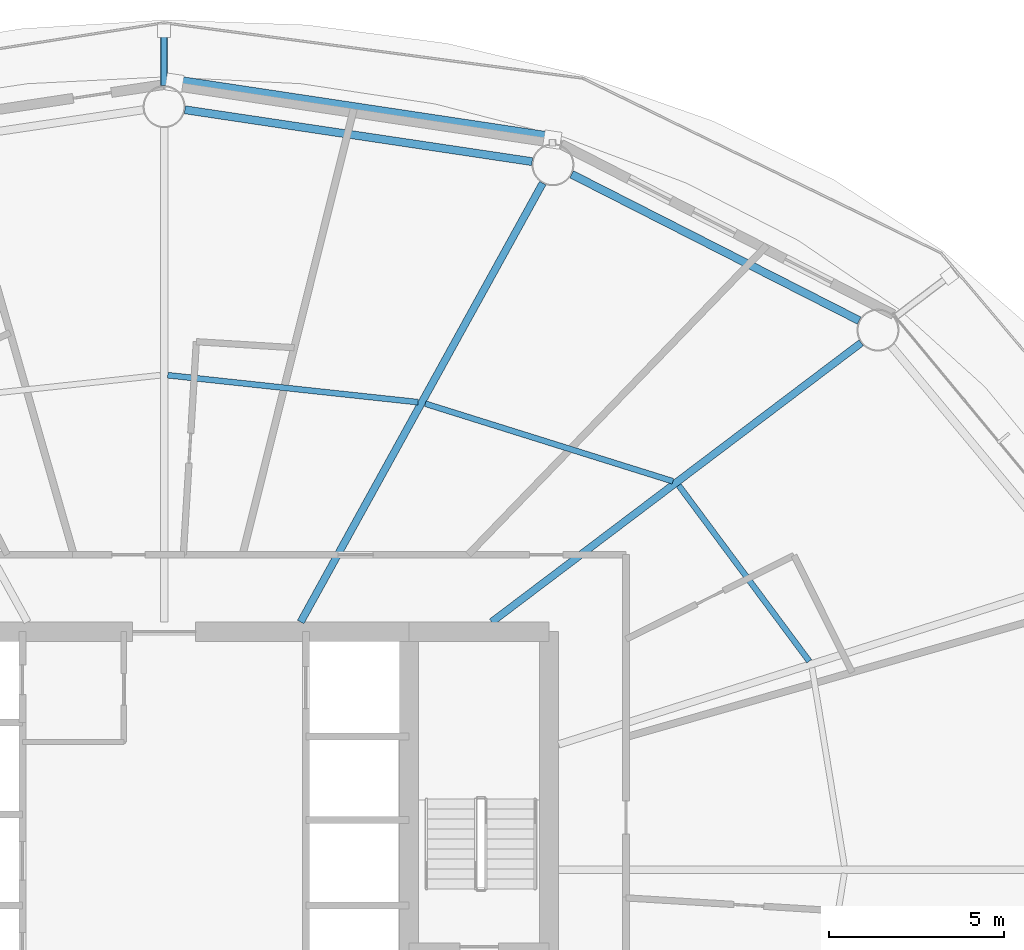
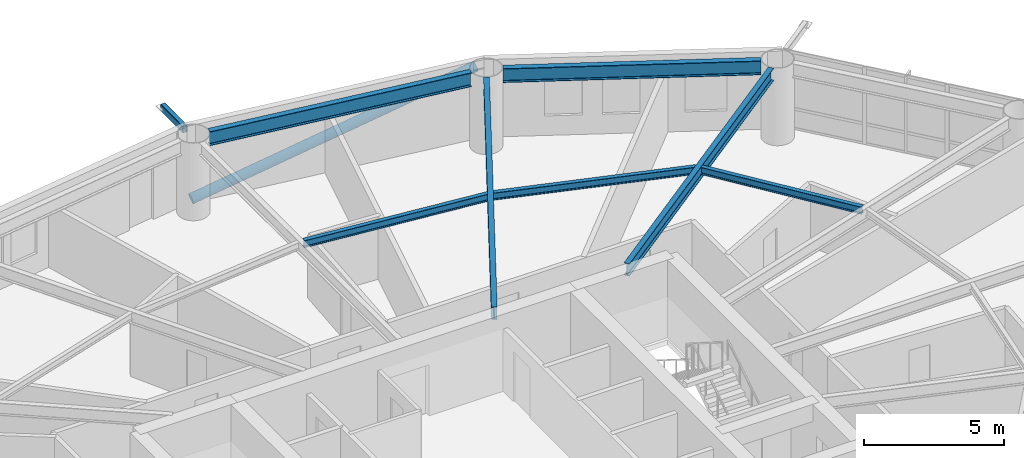
# One storey, part 11 of 24: 7 beams, 2 members.
"""IFC4 building model written with IfcOpenShell, lengths in metres."""

from ifc_helpers import new_model, si_unit, direction, frame, origin, origin_2d, place, context, subcontext, project, spatial, hollow_rectangle, hollow_circle, i_section, extrude, material, material_profile, profile_set, type_object, element, save


model = new_model("IFC4")

# Units and contexts
model_context = context("Model", 3, precision=1e-05, world=origin(), true_north=direction((0.0, 1.0)))
body_context = subcontext(model_context, "Body", "Model", "MODEL_VIEW")
ifc_project = project(units=[si_unit("LENGTHUNIT", "METRE"), si_unit("AREAUNIT", "SQUARE_METRE"), si_unit("VOLUMEUNIT", "CUBIC_METRE"), si_unit("PLANEANGLEUNIT", "RADIAN"), si_unit("MASSUNIT", "GRAM", prefix="KILO")], contexts=[model_context])

# Site, building, storey
site_placement = place(None, origin())
site = spatial("IfcSite", under=ifc_project, at=site_placement, CompositionType="ELEMENT")
building_placement = place(site_placement, origin())
building = spatial("IfcBuilding", under=site, at=building_placement, Name="Sarneth Arch Tower", CompositionType="ELEMENT")
storey_placement = place(building_placement, frame((0.0, 0.0, 102.0)))
storey = spatial("IfcBuildingStorey", under=building, at=storey_placement, Name="L25", CompositionType="ELEMENT", Elevation=102.0)

# Beams
ifc_material_1 = material(Name="Steel S355", Category="steel")
ifc_material_profile_1 = material_profile(ifc_material_1, i_section(OverallWidth=0.1669921875, OverallDepth=0.31689453125, WebThickness=0.007568359375, FlangeThickness=0.01318359375, FilletRadius=0.012939453125, at=origin_2d()), Name="W310x52")
ifc_profile_set_1 = profile_set([ifc_material_profile_1], Name="Steel S355")
beam_type_1 = type_object("IfcBeamType", Name="BM-JOIST-310B", PredefinedType="JOIST", material=ifc_profile_set_1)
beam_1_placement = place(storey_placement, frame((66.434326171875, 47.9541015625, 3.221435546875), z_axis=(-0.596098474255, 0.802911333206, 0.0), x_axis=(-0.802911333206, -0.596098474255, 0.0)))
element("IfcBeam", 1, at=beam_1_placement, inside=storey, type_object=beam_type_1, Name="L25 Secondary floor joist 02", PredefinedType="JOIST", context=body_context, shape_type="SweptSolid", body=[
    extrude(i_section(OverallWidth=0.1669921875, OverallDepth=0.31689453125, WebThickness=0.007568359375, FlangeThickness=0.01318359375, FilletRadius=0.012939453125, at=origin_2d()), origin(), (0.0, 0.0, 1.0), 6.259033203125),
])
beam_2_placement = place(storey_placement, frame((62.539794921875, 53.095703125, 3.221435546875), z_axis=(-0.954245982384, 0.299022750146, 0.0), x_axis=(-0.299022750146, -0.954245982384, 0.0)))
element("IfcBeam", 2, at=beam_2_placement, inside=storey, type_object=beam_type_1, Name="L25 Secondary floor joist 03", PredefinedType="JOIST", context=body_context, shape_type="SweptSolid", body=[
    extrude(i_section(OverallWidth=0.1669921875, OverallDepth=0.31689453125, WebThickness=0.007568359375, FlangeThickness=0.01318359375, FilletRadius=0.012939453125, at=origin_2d()), origin(), (0.0, 0.0, 1.0), 7.416748046875),
])
beam_3_placement = place(storey_placement, frame((55.2568359375, 55.3564453125, 3.221435546875), z_axis=(-0.994257420028, 0.107014871487, 0.0), x_axis=(-0.107014871487, -0.994257420028, 0.0)))
element("IfcBeam", 3, at=beam_3_placement, inside=storey, type_object=beam_type_1, Name="L25 Secondary floor joist 04", PredefinedType="JOIST", context=body_context, shape_type="SweptSolid", body=[
    extrude(i_section(OverallWidth=0.1669921875, OverallDepth=0.31689453125, WebThickness=0.007568359375, FlangeThickness=0.01318359375, FilletRadius=0.012939453125, at=origin_2d()), origin(), (0.0, 0.0, 1.0), 7.193115234375),
])
ifc_material_2 = material(Name="Steel S355", Category="steel")
ifc_material_profile_2 = material_profile(ifc_material_2, i_section(OverallWidth=0.2109375, OverallDepth=0.5390625, WebThickness=0.01171875, FlangeThickness=0.018798828125, FilletRadius=0.01806640625, at=origin_2d()), Name="W530x109")
ifc_profile_set_2 = profile_set([ifc_material_profile_2], Name="Steel S355")
beam_type_2 = type_object("IfcBeamType", Name="BM-RAD-530B", PredefinedType="BEAM", material=ifc_profile_set_2)
beam_4_placement = place(storey_placement, frame((57.36181640625, 49.074951171875, 3.110595703125), z_axis=(0.797802835234, 0.602918432371, 0.0), x_axis=(-0.602918432371, 0.797802835234, 0.0)))
element("IfcBeam", 4, at=beam_4_placement, inside=storey, type_object=beam_type_2, Name="L25 Radial floor girder 03", PredefinedType="BEAM", context=body_context, shape_type="SweptSolid", body=[
    extrude(i_section(OverallWidth=0.2109375, OverallDepth=0.5390625, WebThickness=0.01171875, FlangeThickness=0.018798828125, FilletRadius=0.01806640625, at=origin_2d()), origin(), (0.0, 0.0, 1.0), 13.232666015625),
])
beam_5_placement = place(storey_placement, frame((51.90283203125, 49.074951171875, 3.110595703125), z_axis=(0.483021011336, 0.875608761153, 0.0), x_axis=(-0.875608761153, 0.483021011336, 0.0)))
element("IfcBeam", 5, at=beam_5_placement, inside=storey, type_object=beam_type_2, Name="L25 Radial floor girder 04", PredefinedType="BEAM", context=body_context, shape_type="SweptSolid", body=[
    extrude(i_section(OverallWidth=0.2109375, OverallDepth=0.5390625, WebThickness=0.01171875, FlangeThickness=0.018798828125, FilletRadius=0.01806640625, at=origin_2d()), origin(), (0.0, 0.0, 1.0), 14.32177734375),
])
ifc_material_3 = material(Name="Steel S355", Category="steel")
ifc_material_profile_3 = material_profile(ifc_material_3, i_section(OverallWidth=0.22900390625, OverallDepth=0.612060546875, WebThickness=0.011962890625, FlangeThickness=0.01953125, FilletRadius=0.01904296875, at=origin_2d()), Name="W610x125")
ifc_profile_set_3 = profile_set([ifc_material_profile_3], Name="Steel S355")
beam_type_3 = type_object("IfcBeamType", Name="BM-SPAN-610C", PredefinedType="SPANDREL", material=ifc_profile_set_3)
beam_6_placement = place(storey_placement, frame((67.86279296875, 57.68701171875, 3.073974609375), z_axis=(-0.891259443414, 0.453493775619, 0.0), x_axis=(-0.453493775619, -0.891259443414, 0.0)))
element("IfcBeam", 6, at=beam_6_placement, inside=storey, type_object=beam_type_3, Name="L25 Perimeter spandrel beam 03", PredefinedType="SPANDREL", context=body_context, shape_type="SweptSolid", body=[
    extrude(i_section(OverallWidth=0.22900390625, OverallDepth=0.612060546875, WebThickness=0.011962890625, FlangeThickness=0.01953125, FilletRadius=0.01904296875, at=origin_2d()), origin(), (0.0, 0.0, 1.0), 9.220458984375),
])
beam_7_placement = place(storey_placement, frame((58.516845703125, 62.229248046875, 3.073974609375), z_axis=(-0.989028613319, 0.147724073992, 0.0), x_axis=(-0.147724073992, -0.989028613319, 0.0)))
element("IfcBeam", 7, at=beam_7_placement, inside=storey, type_object=beam_type_3, Name="L25 Perimeter spandrel beam 04", PredefinedType="SPANDREL", context=body_context, shape_type="SweptSolid", body=[
    extrude(i_section(OverallWidth=0.22900390625, OverallDepth=0.612060546875, WebThickness=0.011962890625, FlangeThickness=0.01953125, FilletRadius=0.01904296875, at=origin_2d()), origin(), (0.0, 0.0, 1.0), 10.033447265625),
])

# Members
ifc_material_4 = material(Name="Steel S355", Category="steel")
ifc_material_profile_4 = material_profile(ifc_material_4, hollow_rectangle(XDim=0.199951171875, YDim=0.300048828125, WallThickness=0.012451171875, InnerFilletRadius=0.018798828125, OuterFilletRadius=0.03125, at=origin_2d()), Name="RHS300x200x12.5")
ifc_profile_set_4 = profile_set([ifc_material_profile_4], Name="Steel S355")
member_type_1 = type_object("IfcMemberType", Name="MEM-CANT-STRUT", PredefinedType="STRUT", material=ifc_profile_set_4)
member_1_placement = place(storey_placement, frame((48.0, 64.39990234375, 3.219970703125), z_axis=(0.0, 1.0, 0.0), x_axis=(-1.0, 0.0, 0.0)))
element("IfcMember", 8, at=member_1_placement, inside=storey, type_object=member_type_1, Name="L25 Balcony cantilever bracket 05", PredefinedType="STRUT", context=body_context, shape_type="SweptSolid", body=[
    extrude(hollow_rectangle(XDim=0.199951171875, YDim=0.300048828125, WallThickness=0.012451171875, InnerFilletRadius=0.018798828125, OuterFilletRadius=0.03125, at=origin_2d()), origin(), (0.0, 0.0, 1.0), 1.57080078125),
])
ifc_material_5 = material(Name="Steel S355", Category="steel")
ifc_material_profile_5 = material_profile(ifc_material_5, hollow_circle(Radius=0.202880859375, WallThickness=0.01611328125, at=origin_2d()), Name="CHS406x16")
ifc_profile_set_5 = profile_set([ifc_material_profile_5], Name="Steel S355")
member_type_2 = type_object("IfcMemberType", Name="MEM-DIAG-BR2", PredefinedType="BRACE", material=ifc_profile_set_5)
member_2_placement = place(storey_placement, frame((48.296630859375, 64.4853515625, 0.02001953125), z_axis=(0.95367294778, -0.14360842494, 0.264356821282), x_axis=(0.148905755657, 0.988851392239, 0.0)))
element("IfcMember", 9, at=member_2_placement, inside=storey, type_object=member_type_2, Name="L25 Perimeter frame diagonal 04", PredefinedType="BRACE", context=body_context, shape_type="SweptSolid", body=[
    extrude(hollow_circle(Radius=0.202880859375, WallThickness=0.01611328125, at=origin_2d()), origin(), (0.0, 0.0, 1.0), 11.320556640625),
])

save(model, "model.ifc")
